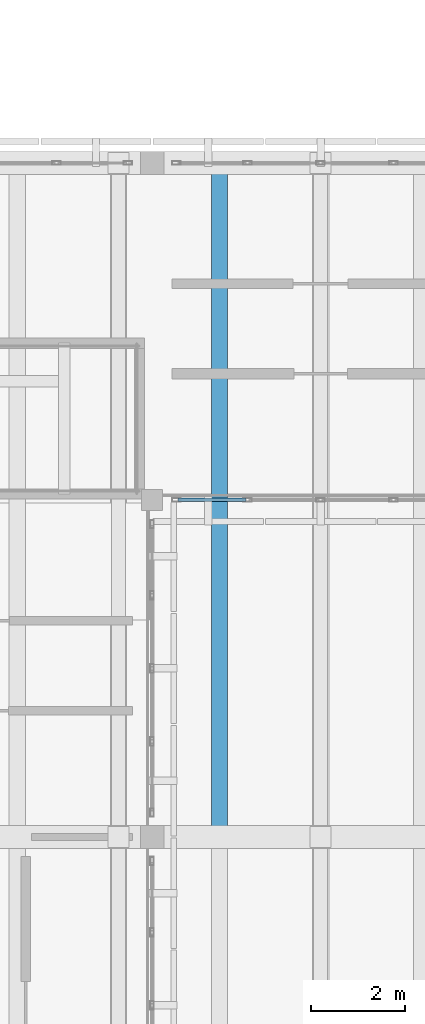
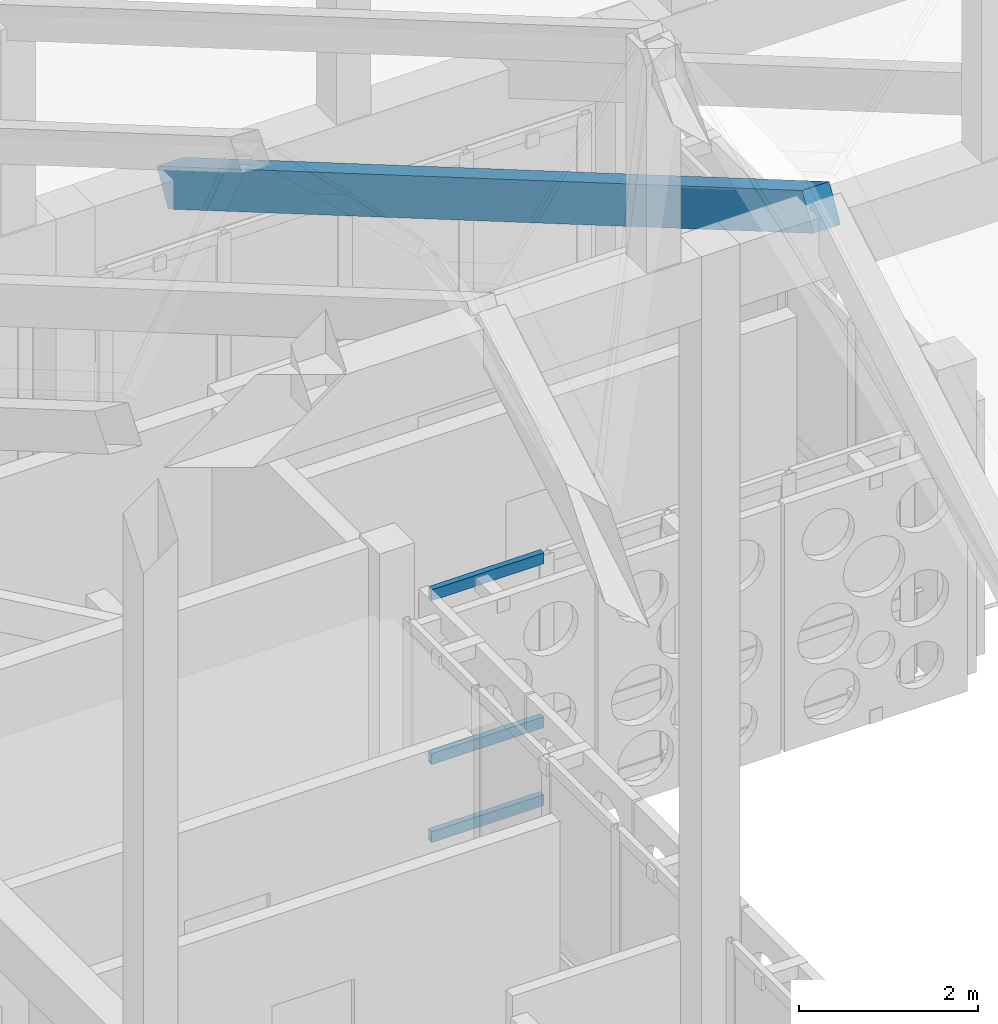
# One storey, part 26 of 171: 3 members, 1 beam, 1 element without a shape of its own.
"""IFC4 building model written with IfcOpenShell, lengths in metres."""

from ifc_helpers import new_model, si_unit, direction, frame, origin, origin_2d, place, context, subcontext, project, spatial, rectangle, hollow_rectangle, extrude, material, material_profile, profile_set, type_object, element, aggregate, save


model = new_model("IFC4")

# Units and contexts
model_context = context("Model", 3, precision=1e-05, world=origin(), true_north=direction((0.0, 1.0)))
body_context = subcontext(model_context, "Body", "Model", "MODEL_VIEW")
ifc_project = project(units=[si_unit("LENGTHUNIT", "METRE"), si_unit("AREAUNIT", "SQUARE_METRE"), si_unit("VOLUMEUNIT", "CUBIC_METRE"), si_unit("PLANEANGLEUNIT", "RADIAN"), si_unit("MASSUNIT", "GRAM", prefix="KILO")], contexts=[model_context])

# Site, building, storey
site_placement = place(None, origin())
site = spatial("IfcSite", under=ifc_project, at=site_placement, CompositionType="ELEMENT")
building_placement = place(site_placement, origin())
building = spatial("IfcBuilding", under=site, at=building_placement, Name="Aldebral Square Health Centre", CompositionType="ELEMENT")
storey_placement = place(building_placement, frame((0.0, 0.0, 4.5)))
storey = spatial("IfcBuildingStorey", under=building, at=storey_placement, Name="L01", CompositionType="ELEMENT", Elevation=4.5)

# Beam
ifc_material_1 = material(Name="Concrete C40/50", Category="concrete")
ifc_material_profile_1 = material_profile(ifc_material_1, rectangle(XDim=0.35009765625, YDim=0.5, at=origin_2d()), Name="RC 350x500")
ifc_profile_set_1 = profile_set([ifc_material_profile_1], Name="Concrete C40/50")
beam_type = type_object("IfcBeamType", Name="BM-SP1", PredefinedType="SPANDREL", material=ifc_profile_set_1)
beam_placement = place(storey_placement, frame((73.43994140625, 86.39990234375, 12.64990234375), z_axis=(0.0, 0.863783681228, -0.503862830584), x_axis=(-1.0, 0.0, 0.0)))
element("IfcBeam", 1, at=beam_placement, inside=storey, type_object=beam_type, Name="Folded-plate north valley beam 3", PredefinedType="SPANDREL", context=body_context, shape_type="SweptSolid", body=[
    extrude(rectangle(XDim=0.35009765625, YDim=0.5, at=origin_2d()), origin(), (0.0, 0.0, 1.0), 16.6708984375),
])

# Curtain wall, members
ifc_material_2 = material(Name="Aluminium and low-E solar glass", Category="aluminium")
curtain_wall_type = type_object("IfcCurtainWallType", Name="CW-HALL-SYS", PredefinedType="USERDEFINED", material=ifc_material_2)
curtain_wall_placement = place(storey_placement, origin())
curtain_wall = element("IfcCurtainWall", 2, at=curtain_wall_placement, inside=storey, type_object=curtain_wall_type, Name="L01 V1 hall curtain wall L01-V1-10-13-S", ObjectType="HALL_CURTAIN_WALL", PredefinedType="USERDEFINED")
ifc_material_3 = material(Name="Anodised aluminium transom", Category="aluminium")
ifc_material_profile_2 = material_profile(ifc_material_3, hollow_rectangle(XDim=0.074951171875, YDim=0.14990234375, WallThickness=0.00390625, at=origin_2d()), Name="CWT 75x150x4")
ifc_profile_set_2 = profile_set([ifc_material_profile_2], Name="Anodised aluminium transom")
member_type = type_object("IfcMemberType", Name="CWT-STD", PredefinedType="USERDEFINED", material=ifc_profile_set_2)
member_1_placement = place(storey_placement, frame((72.554931640625, 93.60009765625, 0.03759765625), z_axis=(1.0, 0.0, 0.0), x_axis=(0.0, 1.0, 0.0)))
member_1 = element("IfcMember", 3, at=member_1_placement, type_object=member_type, Name="CW2 transom 1.1", ObjectType="TRANSOM", PredefinedType="USERDEFINED", context=body_context, shape_type="SweptSolid", body=[
    extrude(hollow_rectangle(XDim=0.074951171875, YDim=0.14990234375, WallThickness=0.00390625, at=origin_2d()), origin(), (0.0, 0.0, 1.0), 1.447509765625),
])
member_2_placement = place(storey_placement, frame((72.554931640625, 93.60009765625, 1.10009765625), z_axis=(1.0, 0.0, 0.0), x_axis=(0.0, 1.0, 0.0)))
member_2 = element("IfcMember", 4, at=member_2_placement, type_object=member_type, Name="CW2 transom 1.2", ObjectType="TRANSOM", PredefinedType="USERDEFINED", context=body_context, shape_type="SweptSolid", body=[
    extrude(hollow_rectangle(XDim=0.074951171875, YDim=0.14990234375, WallThickness=0.00390625, at=origin_2d()), origin(), (0.0, 0.0, 1.0), 1.447509765625),
])
member_3_placement = place(storey_placement, frame((72.554931640625, 93.60009765625, 3.33251953125), z_axis=(1.0, 0.0, 0.0), x_axis=(0.0, 1.0, 0.0)))
member_3 = element("IfcMember", 5, at=member_3_placement, type_object=member_type, Name="CW2 transom 1.3", ObjectType="TRANSOM", PredefinedType="USERDEFINED", context=body_context, shape_type="SweptSolid", body=[
    extrude(hollow_rectangle(XDim=0.074951171875, YDim=0.14990234375, WallThickness=0.00390625, at=origin_2d()), origin(), (0.0, 0.0, 1.0), 1.447509765625),
])
aggregate(curtain_wall, [member_1, member_2, member_3])

save(model, "model.ifc")
